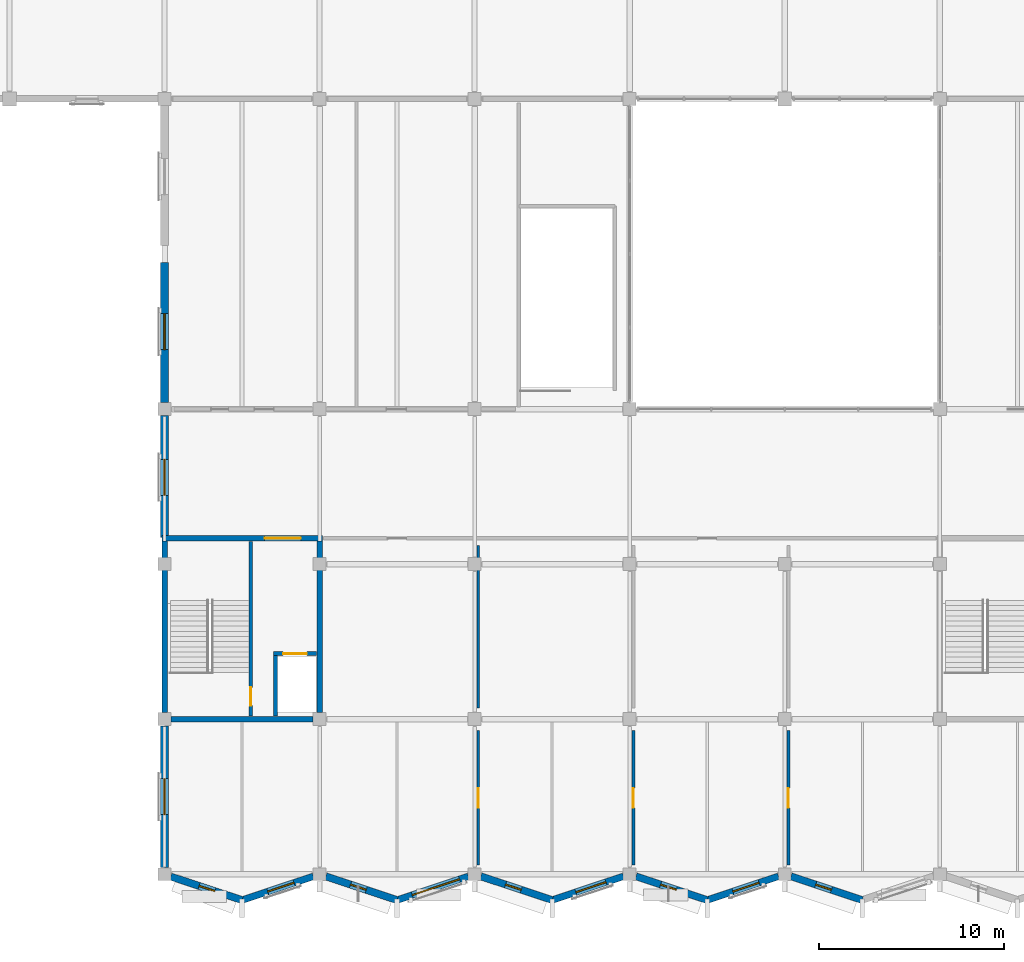
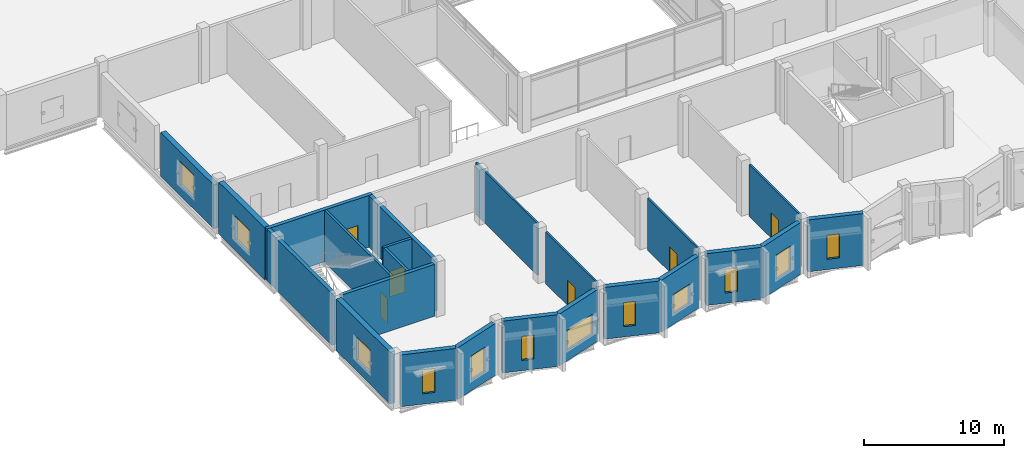
# One storey, part 82 of 110: 23 walls, 12 windows, 6 doors, 18 openings.
"""IFC4 building model written with IfcOpenShell, lengths in metres."""

from ifc_helpers import new_model, si_unit, direction, frame, frame_2d, origin, place, context, subcontext, project, spatial, rectangle, extrude, material, layer, layer_set, type_object, element, fill, save


model = new_model("IFC4")

# Units and contexts
model_context = context("Model", 3, precision=1e-05, world=origin(), true_north=direction((0.0, 1.0)))
body_context = subcontext(model_context, "Body", "Model", "MODEL_VIEW")
ifc_project = project(units=[si_unit("LENGTHUNIT", "METRE"), si_unit("AREAUNIT", "SQUARE_METRE"), si_unit("VOLUMEUNIT", "CUBIC_METRE"), si_unit("PLANEANGLEUNIT", "RADIAN"), si_unit("MASSUNIT", "GRAM", prefix="KILO")], contexts=[model_context])

# Site, building, storey
site_placement = place(None, origin())
site = spatial("IfcSite", under=ifc_project, at=site_placement, CompositionType="ELEMENT")
building_placement = place(site_placement, origin())
building = spatial("IfcBuilding", under=site, at=building_placement, Name="Qawsi Khor Wholesale Market", CompositionType="ELEMENT")
storey_placement = place(building_placement, frame((0.0, 0.0, 11.39990234375)))
storey = spatial("IfcBuildingStorey", under=building, at=storey_placement, Name="L02", CompositionType="ELEMENT", Elevation=11.39990234375)

# Walls
ifc_material_1 = material(Name="Concrete C40/50", Category="concrete")
ifc_layer_1 = layer(ifc_material_1, 0.300048828125, Name="Concrete C40/50")
ifc_layer_set_1 = layer_set([ifc_layer_1], Name="Concrete C40/50")
wall_type_1 = type_object("IfcWallType", Name="Core Shear Wall RC 300 C40/50", PredefinedType="SHEAR", material=ifc_layer_set_1)
wall_1_placement = place(storey_placement, frame((33.2451171875, 8.39990234375, 0.0), z_axis=(0.0, 0.0, 1.0), x_axis=(-1.0, 0.0, 0.0)))
element("IfcWall", 1, at=wall_1_placement, inside=storey, type_object=wall_type_1, Name="Core C01 south shear wall L02", PredefinedType="SHEAR", context=body_context, shape_type="SweptSolid", body=[
    extrude(rectangle(XDim=7.690185546875, YDim=0.300048828125, at=frame_2d((3.84521484375, 0.0))), origin(), (0.0, 0.0, 1.0), 4.52001953125),
])
wall_2_placement = place(storey_placement, frame((25.199951171875, 8.7548828125, 0.0), z_axis=(0.0, 0.0, 1.0), x_axis=(0.0, 1.0, 0.0)))
element("IfcWall", 2, at=wall_2_placement, inside=storey, type_object=wall_type_1, Name="Core C01 west shear wall L02", PredefinedType="SHEAR", context=body_context, shape_type="SweptSolid", body=[
    extrude(rectangle(XDim=9.295166015625, YDim=0.300048828125, at=frame_2d((4.6474609375, 0.0))), origin(), (0.0, 0.0, 1.0), 4.52001953125),
])

# Wall, opening, door
wall_3_placement = place(storey_placement, frame((25.050048828125, 18.199951171875, 0.0), z_axis=(0.0, 0.0, 1.0), x_axis=(1.0, 0.0, 0.0)))
wall_3 = element("IfcWall", 3, at=wall_3_placement, inside=storey, type_object=wall_type_1, Name="Core C01 north shear wall L02", PredefinedType="SHEAR", context=body_context, shape_type="SweptSolid", body=[
    extrude(rectangle(XDim=8.699951171875, YDim=0.300048828125, at=frame_2d((4.35009765625, 0.0))), origin(), (0.0, 0.0, 1.0), 4.52001953125),
])
opening_1_placement = place(wall_3_placement, frame((5.570068359375, 0.0, 0.0)))
opening_1 = element("IfcOpeningElement", 4, at=opening_1_placement, cuts=wall_3, Name="Opening ID-01", PredefinedType="OPENING", context=body_context, shape_type="SweptSolid", body=[
    extrude(rectangle(XDim=1.9599609375, YDim=2.199951171875, at=frame_2d((0.97998046875, 1.10009765625))), frame((0.0, 0.159912109375, 0.0), z_axis=(0.0, -1.0, 0.0), x_axis=(1.0, 0.0, 0.0)), (0.0, 0.0, 1.0), 0.320068359375),
])
ifc_material_2 = material(Name="Steel Fire Door", Category="steel")
door_type_1 = type_object("IfcDoorType", Name="Stair & Core Fire Door 1960x2200 FD90S", OperationType="NOTDEFINED", PredefinedType="DOOR", material=ifc_material_2)
door_1_placement = place(opening_1_placement, origin())
door_1 = element("IfcDoor", 5, at=door_1_placement, inside=storey, type_object=door_type_1, Name="Core C01 fire door L02", OperationType="DOUBLE_DOOR_SINGLE_SWING", OverallHeight=2.199951171875, OverallWidth=1.9599609375, PredefinedType="DOOR", context=body_context, shape_type="SweptSolid", body=[
    extrude(rectangle(XDim=1.9599609375, YDim=2.199951171875, at=frame_2d((0.97998046875, 1.10009765625))), frame((0.0, 0.02490234375, 0.0), z_axis=(0.0, -1.0, 0.0), x_axis=(1.0, 0.0, 0.0)), (0.0, 0.0, 1.0), 0.050048828125),
])
fill(opening_1, door_1)

# Walls
wall_4_placement = place(storey_placement, frame((33.60009765625, 18.050048828125, 0.0), z_axis=(0.0, 0.0, 1.0), x_axis=(0.0, -1.0, 0.0)))
element("IfcWall", 6, at=wall_4_placement, inside=storey, type_object=wall_type_1, Name="Core C01 east shear wall L02", PredefinedType="SHEAR", context=body_context, shape_type="SweptSolid", body=[
    extrude(rectangle(XDim=9.295166015625, YDim=0.300048828125, at=frame_2d((4.6474609375, 0.0))), origin(), (0.0, 0.0, 1.0), 4.52001953125),
])
ifc_layer_2 = layer(ifc_material_1, 0.219970703125, Name="Concrete C40/50")
ifc_layer_set_2 = layer_set([ifc_layer_2], Name="Concrete C40/50")
wall_type_2 = type_object("IfcWallType", Name="Lift & Stair Shaft Wall RC 220", PredefinedType="SOLIDWALL", material=ifc_layer_set_2)
wall_5_placement = place(storey_placement, frame((31.2099609375, 8.56005859375, 0.0), z_axis=(0.0, 0.0, 1.0), x_axis=(0.0, 1.0, 0.0)))
element("IfcWall", 7, at=wall_5_placement, inside=storey, type_object=wall_type_2, Name="Lift FF-01 shaft wall W L02", PredefinedType="SOLIDWALL", context=body_context, shape_type="SweptSolid", body=[
    extrude(rectangle(XDim=3.389892578125, YDim=0.219970703125, at=frame_2d((1.69482421875, 0.0))), origin(), (0.0, 0.0, 1.0), 4.52001953125),
])

# Wall, opening, door
wall_6_placement = place(storey_placement, frame((31.10009765625, 11.949951171875, 0.0), z_axis=(0.0, 0.0, 1.0), x_axis=(1.0, 0.0, 0.0)))
wall_6 = element("IfcWall", 8, at=wall_6_placement, inside=storey, type_object=wall_type_2, Name="Lift FF-01 shaft wall N L02", PredefinedType="SOLIDWALL", context=body_context, shape_type="SweptSolid", body=[
    extrude(rectangle(XDim=2.33984375, YDim=0.219970703125, at=frame_2d((1.169921875, 0.0))), origin(), (0.0, 0.0, 1.0), 4.52001953125),
])
opening_2_placement = place(wall_6_placement, frame((0.530029296875, 0.0, 0.0)))
opening_2 = element("IfcOpeningElement", 9, at=opening_2_placement, cuts=wall_6, Name="Opening LD-FF130", PredefinedType="OPENING", context=body_context, shape_type="SweptSolid", body=[
    extrude(rectangle(XDim=1.280029296875, YDim=2.25, at=frame_2d((0.64013671875, 1.125))), frame((0.0, 0.119873046875, 0.0), z_axis=(0.0, -1.0, 0.0), x_axis=(1.0, 0.0, 0.0)), (0.0, 0.0, 1.0), 0.239990234375),
])
ifc_material_3 = material(Name="Brushed Stainless Steel", Category="steel")
door_type_2 = type_object("IfcDoorType", Name="Firefighting Lift Landing Sliding Door 1280x2250 FD90S", OperationType="NOTDEFINED", PredefinedType="DOOR", material=ifc_material_3)
door_2_placement = place(opening_2_placement, origin())
door_2 = element("IfcDoor", 10, at=door_2_placement, inside=storey, type_object=door_type_2, Name="Lift FF-01 landing door L02", OperationType="SLIDING_TO_LEFT", OverallHeight=2.25, OverallWidth=1.280029296875, PredefinedType="DOOR", context=body_context, shape_type="SweptSolid", body=[
    extrude(rectangle(XDim=1.280029296875, YDim=2.25, at=frame_2d((0.64013671875, 1.125))), frame((0.0, 0.02490234375, 0.0), z_axis=(0.0, -1.0, 0.0), x_axis=(1.0, 0.0, 0.0)), (0.0, 0.0, 1.0), 0.050048828125),
])
fill(opening_2, door_2)

ifc_material_4 = material(Name="Gypsum Board on Metal Stud", Category="gypsum")
ifc_layer_3 = layer(ifc_material_4, 0.14990234375, Name="Gypsum Board on Metal Stud")
ifc_layer_set_3 = layer_set([ifc_layer_3], Name="Gypsum Board on Metal Stud")
wall_type_3 = type_object("IfcWallType", Name="Office Partition Wall 150", PredefinedType="PARTITIONING", material=ifc_layer_set_3)
wall_7_placement = place(storey_placement, frame((42.199951171875, 0.5, 0.0), z_axis=(0.0, 0.0, 1.0), x_axis=(0.0, 1.0, 0.0)))
wall_7 = element("IfcWall", 11, at=wall_7_placement, inside=storey, type_object=wall_type_3, Name="PW-L02-072", PredefinedType="PARTITIONING", context=body_context, shape_type="SweptSolid", body=[
    extrude(rectangle(XDim=7.300048828125, YDim=0.14990234375, at=frame_2d((3.64990234375, 0.0))), origin(), (0.0, 0.0, 1.0), 4.52001953125),
])
opening_3_placement = place(wall_7_placement, frame((3.10009765625, 0.0, 0.0)))
opening_3 = element("IfcOpeningElement", 12, at=opening_3_placement, cuts=wall_7, Name="Opening ID-07", PredefinedType="OPENING", context=body_context, shape_type="SweptSolid", body=[
    extrude(rectangle(XDim=1.06005859375, YDim=2.179931640625, at=frame_2d((0.530029296875, 1.08984375))), frame((0.0, 0.0849609375, 0.0), z_axis=(0.0, -1.0, 0.0), x_axis=(1.0, 0.0, 0.0)), (0.0, 0.0, 1.0), 0.169921875),
])
ifc_material_5 = material(Name="Hardwood Timber Veneer", Category="wood")
door_type_3 = type_object("IfcDoorType", Name="Clearinghouse Suite Door 1060x2180", OperationType="NOTDEFINED", PredefinedType="DOOR", material=ifc_material_5)
door_3_placement = place(opening_3_placement, origin())
door_3 = element("IfcDoor", 13, at=door_3_placement, inside=storey, type_object=door_type_3, Name="Clearinghouse Suite Door 1060x2180 L02-081", OperationType="SINGLE_SWING_RIGHT", OverallHeight=2.179931640625, OverallWidth=1.06005859375, PredefinedType="DOOR", context=body_context, shape_type="SweptSolid", body=[
    extrude(rectangle(XDim=1.06005859375, YDim=2.179931640625, at=frame_2d((0.530029296875, 1.08984375))), frame((0.0, 0.02490234375, 0.0), z_axis=(0.0, -1.0, 0.0), x_axis=(1.0, 0.0, 0.0)), (0.0, 0.0, 1.0), 0.050048828125),
])
fill(opening_3, door_3)

# Wall
wall_8_placement = place(storey_placement, frame((42.199951171875, 9.0, 0.0), z_axis=(0.0, 0.0, 1.0), x_axis=(0.0, 1.0, 0.0)))
element("IfcWall", 14, at=wall_8_placement, inside=storey, type_object=wall_type_3, Name="PW-L02-073", PredefinedType="PARTITIONING", context=body_context, shape_type="SweptSolid", body=[
    extrude(rectangle(XDim=8.800048828125, YDim=0.14990234375, at=frame_2d((4.39990234375, 0.0))), origin(), (0.0, 0.0, 1.0), 4.52001953125),
])

# Wall, opening, door
wall_9_placement = place(storey_placement, frame((50.60009765625, 0.5, 0.0), z_axis=(0.0, 0.0, 1.0), x_axis=(0.0, 1.0, 0.0)))
wall_9 = element("IfcWall", 15, at=wall_9_placement, inside=storey, type_object=wall_type_3, Name="PW-L02-074", PredefinedType="PARTITIONING", context=body_context, shape_type="SweptSolid", body=[
    extrude(rectangle(XDim=7.300048828125, YDim=0.14990234375, at=frame_2d((3.64990234375, 0.0))), origin(), (0.0, 0.0, 1.0), 4.52001953125),
])
opening_4_placement = place(wall_9_placement, frame((3.10009765625, 0.0, 0.0)))
opening_4 = element("IfcOpeningElement", 16, at=opening_4_placement, cuts=wall_9, Name="Opening ID-07", PredefinedType="OPENING", context=body_context, shape_type="SweptSolid", body=[
    extrude(rectangle(XDim=1.06005859375, YDim=2.179931640625, at=frame_2d((0.530029296875, 1.08984375))), frame((0.0, 0.0849609375, 0.0), z_axis=(0.0, -1.0, 0.0), x_axis=(1.0, 0.0, 0.0)), (0.0, 0.0, 1.0), 0.169921875),
])
door_4_placement = place(opening_4_placement, origin())
door_4 = element("IfcDoor", 17, at=door_4_placement, inside=storey, type_object=door_type_3, Name="Clearinghouse Suite Door 1060x2180 L02-082", OperationType="SINGLE_SWING_LEFT", OverallHeight=2.179931640625, OverallWidth=1.06005859375, PredefinedType="DOOR", context=body_context, shape_type="SweptSolid", body=[
    extrude(rectangle(XDim=1.06005859375, YDim=2.179931640625, at=frame_2d((0.530029296875, 1.08984375))), frame((0.0, 0.02490234375, 0.0), z_axis=(0.0, -1.0, 0.0), x_axis=(1.0, 0.0, 0.0)), (0.0, 0.0, 1.0), 0.050048828125),
])
fill(opening_4, door_4)

wall_10_placement = place(storey_placement, frame((59.0, 0.5, 0.0), z_axis=(0.0, 0.0, 1.0), x_axis=(0.0, 1.0, 0.0)))
wall_10 = element("IfcWall", 18, at=wall_10_placement, inside=storey, type_object=wall_type_3, Name="PW-L02-076", PredefinedType="PARTITIONING", context=body_context, shape_type="SweptSolid", body=[
    extrude(rectangle(XDim=7.300048828125, YDim=0.14990234375, at=frame_2d((3.64990234375, 0.0))), origin(), (0.0, 0.0, 1.0), 4.52001953125),
])
opening_5_placement = place(wall_10_placement, frame((3.10009765625, 0.0, 0.0)))
opening_5 = element("IfcOpeningElement", 19, at=opening_5_placement, cuts=wall_10, Name="Opening ID-07", PredefinedType="OPENING", context=body_context, shape_type="SweptSolid", body=[
    extrude(rectangle(XDim=1.06005859375, YDim=2.179931640625, at=frame_2d((0.530029296875, 1.08984375))), frame((0.0, 0.0849609375, 0.0), z_axis=(0.0, -1.0, 0.0), x_axis=(1.0, 0.0, 0.0)), (0.0, 0.0, 1.0), 0.169921875),
])
door_5_placement = place(opening_5_placement, origin())
door_5 = element("IfcDoor", 20, at=door_5_placement, inside=storey, type_object=door_type_3, Name="Clearinghouse Suite Door 1060x2180 L02-083", OperationType="SINGLE_SWING_RIGHT", OverallHeight=2.179931640625, OverallWidth=1.06005859375, PredefinedType="DOOR", context=body_context, shape_type="SweptSolid", body=[
    extrude(rectangle(XDim=1.06005859375, YDim=2.179931640625, at=frame_2d((0.530029296875, 1.08984375))), frame((0.0, 0.02490234375, 0.0), z_axis=(0.0, -1.0, 0.0), x_axis=(1.0, 0.0, 0.0)), (0.0, 0.0, 1.0), 0.050048828125),
])
fill(opening_5, door_5)

# Wall, opening, window
ifc_layer_4 = layer(ifc_material_1, 0.429931640625, Name="Concrete C40/50")
ifc_layer_set_4 = layer_set([ifc_layer_4], Name="Concrete C40/50")
wall_type_4 = type_object("IfcWallType", Name="Sculpted Ribbed Concrete Facade Wall 430", PredefinedType="SOLIDWALL", material=ifc_layer_set_4)
wall_11_placement = place(storey_placement, frame((25.199951171875, 0.35498046875, 0.0), z_axis=(0.0, 0.0, 1.0), x_axis=(0.0, 1.0, 0.0)))
wall_11 = element("IfcWall", 21, at=wall_11_placement, inside=storey, type_object=wall_type_4, Name="EW-L02-SWW-0", PredefinedType="SOLIDWALL", context=body_context, shape_type="SweptSolid", body=[
    extrude(rectangle(XDim=7.68994140625, YDim=0.429931640625, at=frame_2d((3.844970703125, 0.0))), origin(), (0.0, 0.0, 1.0), 4.52001953125),
])
opening_6_placement = place(wall_11_placement, frame((2.8701171875, 0.0, 0.949951171875)))
opening_6 = element("IfcOpeningElement", 22, at=opening_6_placement, cuts=wall_11, Name="Opening W-20", PredefinedType="OPENING", context=body_context, shape_type="SweptSolid", body=[
    extrude(rectangle(XDim=1.949951171875, YDim=2.050048828125, at=frame_2d((0.97509765625, 1.02490234375))), frame((0.0, 0.224853515625, 0.0), z_axis=(0.0, -1.0, 0.0), x_axis=(1.0, 0.0, 0.0)), (0.0, 0.0, 1.0), 0.449951171875),
])
ifc_material_6 = material(Name="Thermally Broken Aluminium & Low-E Glass", Category="aluminium")
window_type_1 = type_object("IfcWindowType", Name="Win W-20 Governance Corner 1950x2050", PartitioningType="SINGLE_PANEL", PredefinedType="WINDOW", material=ifc_material_6)
window_1_placement = place(opening_6_placement, origin())
window_1 = element("IfcWindow", 23, at=window_1_placement, inside=storey, type_object=window_type_1, Name="Win W-20 Governance Corner 1950x2050 119", OverallHeight=2.050048828125, OverallWidth=1.949951171875, PartitioningType="SINGLE_PANEL", PredefinedType="WINDOW", context=body_context, shape_type="SweptSolid", body=[
    extrude(rectangle(XDim=1.949951171875, YDim=2.050048828125, at=frame_2d((0.97509765625, 1.02490234375))), frame((0.0, 0.030029296875, 0.0), z_axis=(0.0, -1.0, 0.0), x_axis=(1.0, 0.0, 0.0)), (0.0, 0.0, 1.0), 0.06005859375),
])
fill(opening_6, window_1)

wall_12_placement = place(storey_placement, frame((25.199951171875, 18.25, 0.0), z_axis=(0.0, 0.0, 1.0), x_axis=(0.0, 1.0, 0.0)))
wall_12 = element("IfcWall", 24, at=wall_12_placement, inside=storey, type_object=wall_type_4, Name="EW-L02-SWW-2", PredefinedType="SOLIDWALL", context=body_context, shape_type="SweptSolid", body=[
    extrude(rectangle(XDim=6.594970703125, YDim=0.429931640625, at=frame_2d((3.29736328125, 0.0))), origin(), (0.0, 0.0, 1.0), 4.52001953125),
])
opening_7_placement = place(wall_12_placement, frame((2.27490234375, 0.0, 0.949951171875)))
opening_7 = element("IfcOpeningElement", 25, at=opening_7_placement, cuts=wall_12, Name="Opening W-20", PredefinedType="OPENING", context=body_context, shape_type="SweptSolid", body=[
    extrude(rectangle(XDim=1.949951171875, YDim=2.050048828125, at=frame_2d((0.97509765625, 1.02490234375))), frame((0.0, 0.224853515625, 0.0), z_axis=(0.0, -1.0, 0.0), x_axis=(1.0, 0.0, 0.0)), (0.0, 0.0, 1.0), 0.449951171875),
])
window_2_placement = place(opening_7_placement, origin())
window_2 = element("IfcWindow", 26, at=window_2_placement, inside=storey, type_object=window_type_1, Name="Win W-20 Governance Corner 1950x2050 120", OverallHeight=2.050048828125, OverallWidth=1.949951171875, PartitioningType="SINGLE_PANEL", PredefinedType="WINDOW", context=body_context, shape_type="SweptSolid", body=[
    extrude(rectangle(XDim=1.949951171875, YDim=2.050048828125, at=frame_2d((0.97509765625, 1.02490234375))), frame((0.0, 0.030029296875, 0.0), z_axis=(0.0, -1.0, 0.0), x_axis=(1.0, 0.0, 0.0)), (0.0, 0.0, 1.0), 0.06005859375),
])
fill(opening_7, window_2)

wall_13_placement = place(storey_placement, frame((25.199951171875, 25.554931640625, 0.0), z_axis=(0.0, 0.0, 1.0), x_axis=(0.0, 1.0, 0.0)))
wall_13 = element("IfcWall", 27, at=wall_13_placement, inside=storey, type_object=wall_type_4, Name="EW-L02-SWW-3", PredefinedType="SOLIDWALL", context=body_context, shape_type="SweptSolid", body=[
    extrude(rectangle(XDim=7.594970703125, YDim=0.429931640625, at=frame_2d((3.79736328125, 0.0))), origin(), (0.0, 0.0, 1.0), 3.830078125),
])
opening_8_placement = place(wall_13_placement, frame((2.8701171875, 0.0, 0.949951171875)))
opening_8 = element("IfcOpeningElement", 28, at=opening_8_placement, cuts=wall_13, Name="Opening W-20", PredefinedType="OPENING", context=body_context, shape_type="SweptSolid", body=[
    extrude(rectangle(XDim=1.949951171875, YDim=2.050048828125, at=frame_2d((0.97509765625, 1.02490234375))), frame((0.0, 0.224853515625, 0.0), z_axis=(0.0, -1.0, 0.0), x_axis=(1.0, 0.0, 0.0)), (0.0, 0.0, 1.0), 0.449951171875),
])
window_3_placement = place(opening_8_placement, origin())
window_3 = element("IfcWindow", 29, at=window_3_placement, inside=storey, type_object=window_type_1, Name="Win W-20 Governance Corner 1950x2050 121", OverallHeight=2.050048828125, OverallWidth=1.949951171875, PartitioningType="SINGLE_PANEL", PredefinedType="WINDOW", context=body_context, shape_type="SweptSolid", body=[
    extrude(rectangle(XDim=1.949951171875, YDim=2.050048828125, at=frame_2d((0.97509765625, 1.02490234375))), frame((0.0, 0.030029296875, 0.0), z_axis=(0.0, -1.0, 0.0), x_axis=(1.0, 0.0, 0.0)), (0.0, 0.0, 1.0), 0.06005859375),
])
fill(opening_8, window_3)

# Wall, opening, door
ifc_layer_5 = layer(ifc_material_1, 0.18994140625, Name="Concrete C40/50")
ifc_layer_set_5 = layer_set([ifc_layer_5], Name="Concrete C40/50")
wall_type_5 = type_object("IfcWallType", Name="Stairwell Enclosure Wall RC 190", PredefinedType="SOLIDWALL", material=ifc_layer_set_5)
wall_14_placement = place(storey_placement, frame((29.8798828125, 8.56005859375, 0.0), z_axis=(0.0, 0.0, 1.0), x_axis=(0.0, 1.0, 0.0)))
wall_14 = element("IfcWall", 30, at=wall_14_placement, inside=storey, type_object=wall_type_5, Name="Core C01 stairwell enclosure wall L02", PredefinedType="SOLIDWALL", context=body_context, shape_type="SweptSolid", body=[
    extrude(rectangle(XDim=9.47998046875, YDim=0.18994140625, at=frame_2d((4.739990234375, 0.0))), origin(), (0.0, 0.0, 1.0), 4.52001953125),
])
opening_9_placement = place(wall_14_placement, frame((0.580078125, 0.0, 0.0)))
opening_9 = element("IfcOpeningElement", 31, at=opening_9_placement, cuts=wall_14, Name="Opening ID-17", PredefinedType="OPENING", context=body_context, shape_type="SweptSolid", body=[
    extrude(rectangle(XDim=0.97998046875, YDim=2.14990234375, at=frame_2d((0.489990234375, 1.074951171875))), frame((0.0, 0.10498046875, 0.0), z_axis=(0.0, -1.0, 0.0), x_axis=(1.0, 0.0, 0.0)), (0.0, 0.0, 1.0), 0.2099609375),
])
door_type_4 = type_object("IfcDoorType", Name="Core Stair Lobby Fire Door 980x2150 FD120S", OperationType="NOTDEFINED", PredefinedType="DOOR", material=ifc_material_2)
door_6_placement = place(opening_9_placement, origin())
door_6 = element("IfcDoor", 32, at=door_6_placement, inside=storey, type_object=door_type_4, Name="Core C01 stair enclosure fire door L02", OperationType="SINGLE_SWING_LEFT", OverallHeight=2.14990234375, OverallWidth=0.97998046875, PredefinedType="DOOR", context=body_context, shape_type="SweptSolid", body=[
    extrude(rectangle(XDim=0.97998046875, YDim=2.14990234375, at=frame_2d((0.489990234375, 1.074951171875))), frame((0.0, 0.02490234375, 0.0), z_axis=(0.0, -1.0, 0.0), x_axis=(1.0, 0.0, 0.0)), (0.0, 0.0, 1.0), 0.050048828125),
])
fill(opening_9, door_6)

# Wall, opening, window
ifc_layer_6 = layer(ifc_material_1, 0.3701171875, Name="Concrete C40/50")
ifc_layer_set_6 = layer_set([ifc_layer_6], Name="Concrete C40/50")
wall_type_6 = type_object("IfcWallType", Name="Turned-Bay Concrete Facade Wall 370", PredefinedType="SOLIDWALL", material=ifc_layer_set_6)
wall_15_placement = place(storey_placement, frame((33.26318359375, -0.1123046875, 0.0), z_axis=(0.0, 0.0, 1.0), x_axis=(-0.948695287956, -0.316191794027, 0.0)))
wall_15 = element("IfcWall", 33, at=wall_15_placement, inside=storey, type_object=wall_type_6, Name="EW-L02-SBAY-02", PredefinedType="SOLIDWALL", context=body_context, shape_type="SweptSolid", body=[
    extrude(rectangle(XDim=4.072265625, YDim=0.3701171875, at=frame_2d((2.0361328125, 0.0))), origin(), (0.0, 0.0, 1.0), 4.52001953125),
])
opening_10_placement = place(wall_15_placement, frame((1.10791015625, 0.0, 0.89990234375)))
opening_10 = element("IfcOpeningElement", 34, at=opening_10_placement, cuts=wall_15, Name="Opening W-04", PredefinedType="OPENING", context=body_context, shape_type="SweptSolid", body=[
    extrude(rectangle(XDim=1.5, YDim=2.14990234375, at=frame_2d((0.75, 1.074951171875))), frame((0.0, 0.195068359375, 0.0), z_axis=(0.0, -1.0, 0.0), x_axis=(1.0, 0.0, 0.0)), (0.0, 0.0, 1.0), 0.39013671875),
])
window_type_2 = type_object("IfcWindowType", Name="Win W-04 Turned-Bay Wide 1500x2150", PartitioningType="SINGLE_PANEL", PredefinedType="WINDOW", material=ifc_material_6)
window_4_placement = place(opening_10_placement, origin())
window_4 = element("IfcWindow", 35, at=window_4_placement, inside=storey, type_object=window_type_2, Name="Win W-04 Turned-Bay Wide 1500x2150 042", OverallHeight=2.14990234375, OverallWidth=1.5, PartitioningType="SINGLE_PANEL", PredefinedType="WINDOW", context=body_context, shape_type="SweptSolid", body=[
    extrude(rectangle(XDim=1.5, YDim=2.14990234375, at=frame_2d((0.75, 1.074951171875))), frame((0.0, 0.030029296875, 0.0), z_axis=(0.0, -1.0, 0.0), x_axis=(1.0, 0.0, 0.0)), (0.0, 0.0, 1.0), 0.06005859375),
])
fill(opening_10, window_4)

wall_16_placement = place(storey_placement, frame((41.6630859375, -0.1123046875, 0.0), z_axis=(0.0, 0.0, 1.0), x_axis=(-0.948689293515, -0.316209779056, 0.0)))
wall_16 = element("IfcWall", 36, at=wall_16_placement, inside=storey, type_object=wall_type_6, Name="EW-L02-SBAY-04", PredefinedType="SOLIDWALL", context=body_context, shape_type="SweptSolid", body=[
    extrude(rectangle(XDim=4.072021484375, YDim=0.3701171875, at=frame_2d((2.0361328125, 0.0))), origin(), (0.0, 0.0, 1.0), 4.52001953125),
])
opening_11_placement = place(wall_16_placement, frame((0.508056640625, 0.0, 0.89990234375)))
opening_11 = element("IfcOpeningElement", 37, at=opening_11_placement, cuts=wall_16, Name="Opening W-09", PredefinedType="OPENING", context=body_context, shape_type="SweptSolid", body=[
    extrude(rectangle(XDim=2.699951171875, YDim=1.75, at=frame_2d((1.35009765625, 0.875))), frame((0.0, 0.195068359375, 0.0), z_axis=(0.0, -1.0, 0.0), x_axis=(1.0, 0.0, 0.0)), (0.0, 0.0, 1.0), 0.39013671875),
])
window_type_3 = type_object("IfcWindowType", Name="Win W-09 Clearinghouse Wide 2700x1750", PartitioningType="SINGLE_PANEL", PredefinedType="WINDOW", material=ifc_material_6)
window_5_placement = place(opening_11_placement, origin())
window_5 = element("IfcWindow", 38, at=window_5_placement, inside=storey, type_object=window_type_3, Name="Win W-09 Clearinghouse Wide 2700x1750 044", OverallHeight=1.75, OverallWidth=2.699951171875, PartitioningType="SINGLE_PANEL", PredefinedType="WINDOW", context=body_context, shape_type="SweptSolid", body=[
    extrude(rectangle(XDim=2.699951171875, YDim=1.75, at=frame_2d((1.35009765625, 0.875))), frame((0.0, 0.030029296875, 0.0), z_axis=(0.0, -1.0, 0.0), x_axis=(1.0, 0.0, 0.0)), (0.0, 0.0, 1.0), 0.06005859375),
])
fill(opening_11, window_5)

wall_17_placement = place(storey_placement, frame((50.063232421875, -0.1123046875, 0.0), z_axis=(0.0, 0.0, 1.0), x_axis=(-0.948695287956, -0.316191794027, 0.0)))
wall_17 = element("IfcWall", 39, at=wall_17_placement, inside=storey, type_object=wall_type_6, Name="EW-L02-SBAY-06", PredefinedType="SOLIDWALL", context=body_context, shape_type="SweptSolid", body=[
    extrude(rectangle(XDim=4.072265625, YDim=0.3701171875, at=frame_2d((2.0361328125, 0.0))), origin(), (0.0, 0.0, 1.0), 4.52001953125),
])
opening_12_placement = place(wall_17_placement, frame((0.998046875, 0.0, 0.89990234375)))
opening_12 = element("IfcOpeningElement", 40, at=opening_12_placement, cuts=wall_17, Name="Opening W-23", PredefinedType="OPENING", context=body_context, shape_type="SweptSolid", body=[
    extrude(rectangle(XDim=1.719970703125, YDim=1.699951171875, at=frame_2d((0.85986328125, 0.85009765625))), frame((0.0, 0.195068359375, 0.0), z_axis=(0.0, -1.0, 0.0), x_axis=(1.0, 0.0, 0.0)), (0.0, 0.0, 1.0), 0.39013671875),
])
window_type_4 = type_object("IfcWindowType", Name="Win W-23 East Office Punched 1720x1700", PartitioningType="SINGLE_PANEL", PredefinedType="WINDOW", material=ifc_material_6)
window_6_placement = place(opening_12_placement, origin())
window_6 = element("IfcWindow", 41, at=window_6_placement, inside=storey, type_object=window_type_4, Name="Win W-23 East Office Punched 1720x1700 046", OverallHeight=1.699951171875, OverallWidth=1.719970703125, PartitioningType="SINGLE_PANEL", PredefinedType="WINDOW", context=body_context, shape_type="SweptSolid", body=[
    extrude(rectangle(XDim=1.719970703125, YDim=1.699951171875, at=frame_2d((0.85986328125, 0.85009765625))), frame((0.0, 0.030029296875, 0.0), z_axis=(0.0, -1.0, 0.0), x_axis=(1.0, 0.0, 0.0)), (0.0, 0.0, 1.0), 0.06005859375),
])
fill(opening_12, window_6)

wall_18_placement = place(storey_placement, frame((58.463134765625, -0.1123046875, 0.0), z_axis=(0.0, 0.0, 1.0), x_axis=(-0.948689293515, -0.316209779056, 0.0)))
wall_18 = element("IfcWall", 42, at=wall_18_placement, inside=storey, type_object=wall_type_6, Name="EW-L02-SBAY-08", PredefinedType="SOLIDWALL", context=body_context, shape_type="SweptSolid", body=[
    extrude(rectangle(XDim=4.072021484375, YDim=0.3701171875, at=frame_2d((2.0361328125, 0.0))), origin(), (0.0, 0.0, 1.0), 4.52001953125),
])
opening_13_placement = place(wall_18_placement, frame((1.10791015625, 0.0, 0.89990234375)))
opening_13 = element("IfcOpeningElement", 43, at=opening_13_placement, cuts=wall_18, Name="Opening W-04", PredefinedType="OPENING", context=body_context, shape_type="SweptSolid", body=[
    extrude(rectangle(XDim=1.5, YDim=2.14990234375, at=frame_2d((0.75, 1.074951171875))), frame((0.0, 0.195068359375, 0.0), z_axis=(0.0, -1.0, 0.0), x_axis=(1.0, 0.0, 0.0)), (0.0, 0.0, 1.0), 0.39013671875),
])
window_7_placement = place(opening_13_placement, origin())
window_7 = element("IfcWindow", 44, at=window_7_placement, inside=storey, type_object=window_type_2, Name="Win W-04 Turned-Bay Wide 1500x2150 048", OverallHeight=2.14990234375, OverallWidth=1.5, PartitioningType="SINGLE_PANEL", PredefinedType="WINDOW", context=body_context, shape_type="SweptSolid", body=[
    extrude(rectangle(XDim=1.5, YDim=2.14990234375, at=frame_2d((0.75, 1.074951171875))), frame((0.0, 0.030029296875, 0.0), z_axis=(0.0, -1.0, 0.0), x_axis=(1.0, 0.0, 0.0)), (0.0, 0.0, 1.0), 0.06005859375),
])
fill(opening_13, window_7)

ifc_layer_7 = layer(ifc_material_1, 0.389892578125, Name="Concrete C40/50")
ifc_layer_set_7 = layer_set([ifc_layer_7], Name="Concrete C40/50")
wall_type_7 = type_object("IfcWallType", Name="Turned-Bay Concrete Facade Wall 390", PredefinedType="SOLIDWALL", material=ifc_layer_set_7)
wall_19_placement = place(storey_placement, frame((29.39990234375, -1.39990234375, 0.0), z_axis=(0.0, 0.0, 1.0), x_axis=(-0.949667893565, 0.313258506558, 0.0)))
wall_19 = element("IfcWall", 45, at=wall_19_placement, inside=storey, type_object=wall_type_7, Name="EW-L02-SBAY-01", PredefinedType="SOLIDWALL", context=body_context, shape_type="SweptSolid", body=[
    extrude(rectangle(XDim=4.072265625, YDim=0.389892578125, at=frame_2d((2.0361328125, 0.0))), origin(), (0.0, 0.0, 1.0), 4.52001953125),
])
opening_14_placement = place(wall_19_placement, frame((1.553955078125, 0.0, 0.89990234375)))
opening_14 = element("IfcOpeningElement", 46, at=opening_14_placement, cuts=wall_19, Name="Opening W-02", PredefinedType="OPENING", context=body_context, shape_type="SweptSolid", body=[
    extrude(rectangle(XDim=0.89990234375, YDim=2.10009765625, at=frame_2d((0.449951171875, 1.050048828125))), frame((0.0, 0.204833984375, 0.0), z_axis=(0.0, -1.0, 0.0), x_axis=(1.0, 0.0, 0.0)), (0.0, 0.0, 1.0), 0.409912109375),
])
window_type_5 = type_object("IfcWindowType", Name="Win W-02 Deep-Set Narrow 900x2100", PartitioningType="SINGLE_PANEL", PredefinedType="WINDOW", material=ifc_material_6)
window_8_placement = place(opening_14_placement, origin())
window_8 = element("IfcWindow", 47, at=window_8_placement, inside=storey, type_object=window_type_5, Name="Win W-02 Deep-Set Narrow 900x2100 041", OverallHeight=2.10009765625, OverallWidth=0.89990234375, PartitioningType="SINGLE_PANEL", PredefinedType="WINDOW", context=body_context, shape_type="SweptSolid", body=[
    extrude(rectangle(XDim=0.89990234375, YDim=2.10009765625, at=frame_2d((0.449951171875, 1.050048828125))), frame((0.0, 0.030029296875, 0.0), z_axis=(0.0, -1.0, 0.0), x_axis=(1.0, 0.0, 0.0)), (0.0, 0.0, 1.0), 0.06005859375),
])
fill(opening_14, window_8)

wall_20_placement = place(storey_placement, frame((37.800048828125, -1.39990234375, 0.0), z_axis=(0.0, 0.0, 1.0), x_axis=(-0.948695287956, 0.316191794027, 0.0)))
wall_20 = element("IfcWall", 48, at=wall_20_placement, inside=storey, type_object=wall_type_7, Name="EW-L02-SBAY-03", PredefinedType="SOLIDWALL", context=body_context, shape_type="SweptSolid", body=[
    extrude(rectangle(XDim=4.072265625, YDim=0.389892578125, at=frame_2d((2.0361328125, 0.0))), origin(), (0.0, 0.0, 1.0), 4.52001953125),
])
opening_15_placement = place(wall_20_placement, frame((1.762939453125, 0.0, 0.89990234375)))
opening_15 = element("IfcOpeningElement", 49, at=opening_15_placement, cuts=wall_20, Name="Opening W-02", PredefinedType="OPENING", context=body_context, shape_type="SweptSolid", body=[
    extrude(rectangle(XDim=0.89990234375, YDim=2.10009765625, at=frame_2d((0.449951171875, 1.050048828125))), frame((0.0, 0.204833984375, 0.0), z_axis=(0.0, -1.0, 0.0), x_axis=(1.0, 0.0, 0.0)), (0.0, 0.0, 1.0), 0.409912109375),
])
window_9_placement = place(opening_15_placement, origin())
window_9 = element("IfcWindow", 50, at=window_9_placement, inside=storey, type_object=window_type_5, Name="Win W-02 Deep-Set Narrow 900x2100 043", OverallHeight=2.10009765625, OverallWidth=0.89990234375, PartitioningType="SINGLE_PANEL", PredefinedType="WINDOW", context=body_context, shape_type="SweptSolid", body=[
    extrude(rectangle(XDim=0.89990234375, YDim=2.10009765625, at=frame_2d((0.449951171875, 1.050048828125))), frame((0.0, 0.030029296875, 0.0), z_axis=(0.0, -1.0, 0.0), x_axis=(1.0, 0.0, 0.0)), (0.0, 0.0, 1.0), 0.06005859375),
])
fill(opening_15, window_9)

wall_21_placement = place(storey_placement, frame((46.199951171875, -1.39990234375, 0.0), z_axis=(0.0, 0.0, 1.0), x_axis=(-0.948689293515, 0.316209779056, 0.0)))
wall_21 = element("IfcWall", 51, at=wall_21_placement, inside=storey, type_object=wall_type_7, Name="EW-L02-SBAY-05", PredefinedType="SOLIDWALL", context=body_context, shape_type="SweptSolid", body=[
    extrude(rectangle(XDim=4.072021484375, YDim=0.389892578125, at=frame_2d((2.0361328125, 0.0))), origin(), (0.0, 0.0, 1.0), 4.52001953125),
])
opening_16_placement = place(wall_21_placement, frame((1.762939453125, 0.0, 0.89990234375)))
opening_16 = element("IfcOpeningElement", 52, at=opening_16_placement, cuts=wall_21, Name="Opening W-02", PredefinedType="OPENING", context=body_context, shape_type="SweptSolid", body=[
    extrude(rectangle(XDim=0.89990234375, YDim=2.10009765625, at=frame_2d((0.449951171875, 1.050048828125))), frame((0.0, 0.204833984375, 0.0), z_axis=(0.0, -1.0, 0.0), x_axis=(1.0, 0.0, 0.0)), (0.0, 0.0, 1.0), 0.409912109375),
])
window_10_placement = place(opening_16_placement, origin())
window_10 = element("IfcWindow", 53, at=window_10_placement, inside=storey, type_object=window_type_5, Name="Win W-02 Deep-Set Narrow 900x2100 045", OverallHeight=2.10009765625, OverallWidth=0.89990234375, PartitioningType="SINGLE_PANEL", PredefinedType="WINDOW", context=body_context, shape_type="SweptSolid", body=[
    extrude(rectangle(XDim=0.89990234375, YDim=2.10009765625, at=frame_2d((0.449951171875, 1.050048828125))), frame((0.0, 0.030029296875, 0.0), z_axis=(0.0, -1.0, 0.0), x_axis=(1.0, 0.0, 0.0)), (0.0, 0.0, 1.0), 0.06005859375),
])
fill(opening_16, window_10)

wall_22_placement = place(storey_placement, frame((54.60009765625, -1.39990234375, 0.0), z_axis=(0.0, 0.0, 1.0), x_axis=(-0.948695287956, 0.316191794027, 0.0)))
wall_22 = element("IfcWall", 54, at=wall_22_placement, inside=storey, type_object=wall_type_7, Name="EW-L02-SBAY-07", PredefinedType="SOLIDWALL", context=body_context, shape_type="SweptSolid", body=[
    extrude(rectangle(XDim=4.072265625, YDim=0.389892578125, at=frame_2d((2.0361328125, 0.0))), origin(), (0.0, 0.0, 1.0), 4.52001953125),
])
opening_17_placement = place(wall_22_placement, frame((1.762939453125, 0.0, 0.89990234375)))
opening_17 = element("IfcOpeningElement", 55, at=opening_17_placement, cuts=wall_22, Name="Opening W-02", PredefinedType="OPENING", context=body_context, shape_type="SweptSolid", body=[
    extrude(rectangle(XDim=0.89990234375, YDim=2.10009765625, at=frame_2d((0.449951171875, 1.050048828125))), frame((0.0, 0.204833984375, 0.0), z_axis=(0.0, -1.0, 0.0), x_axis=(1.0, 0.0, 0.0)), (0.0, 0.0, 1.0), 0.409912109375),
])
window_11_placement = place(opening_17_placement, origin())
window_11 = element("IfcWindow", 56, at=window_11_placement, inside=storey, type_object=window_type_5, Name="Win W-02 Deep-Set Narrow 900x2100 047", OverallHeight=2.10009765625, OverallWidth=0.89990234375, PartitioningType="SINGLE_PANEL", PredefinedType="WINDOW", context=body_context, shape_type="SweptSolid", body=[
    extrude(rectangle(XDim=0.89990234375, YDim=2.10009765625, at=frame_2d((0.449951171875, 1.050048828125))), frame((0.0, 0.030029296875, 0.0), z_axis=(0.0, -1.0, 0.0), x_axis=(1.0, 0.0, 0.0)), (0.0, 0.0, 1.0), 0.06005859375),
])
fill(opening_17, window_11)

wall_23_placement = place(storey_placement, frame((63.0, -1.39990234375, 0.0), z_axis=(0.0, 0.0, 1.0), x_axis=(-0.948695287956, 0.316191794027, 0.0)))
wall_23 = element("IfcWall", 57, at=wall_23_placement, inside=storey, type_object=wall_type_7, Name="EW-L02-SBAY-09", PredefinedType="SOLIDWALL", context=body_context, shape_type="SweptSolid", body=[
    extrude(rectangle(XDim=4.072265625, YDim=0.389892578125, at=frame_2d((2.0361328125, 0.0))), origin(), (0.0, 0.0, 1.0), 4.52001953125),
])
opening_18_placement = place(wall_23_placement, frame((1.762939453125, 0.0, 0.89990234375)))
opening_18 = element("IfcOpeningElement", 58, at=opening_18_placement, cuts=wall_23, Name="Opening W-02", PredefinedType="OPENING", context=body_context, shape_type="SweptSolid", body=[
    extrude(rectangle(XDim=0.89990234375, YDim=2.10009765625, at=frame_2d((0.449951171875, 1.050048828125))), frame((0.0, 0.204833984375, 0.0), z_axis=(0.0, -1.0, 0.0), x_axis=(1.0, 0.0, 0.0)), (0.0, 0.0, 1.0), 0.409912109375),
])
window_12_placement = place(opening_18_placement, origin())
window_12 = element("IfcWindow", 59, at=window_12_placement, inside=storey, type_object=window_type_5, Name="Win W-02 Deep-Set Narrow 900x2100 049", OverallHeight=2.10009765625, OverallWidth=0.89990234375, PartitioningType="SINGLE_PANEL", PredefinedType="WINDOW", context=body_context, shape_type="SweptSolid", body=[
    extrude(rectangle(XDim=0.89990234375, YDim=2.10009765625, at=frame_2d((0.449951171875, 1.050048828125))), frame((0.0, 0.030029296875, 0.0), z_axis=(0.0, -1.0, 0.0), x_axis=(1.0, 0.0, 0.0)), (0.0, 0.0, 1.0), 0.06005859375),
])
fill(opening_18, window_12)

save(model, "model.ifc")
